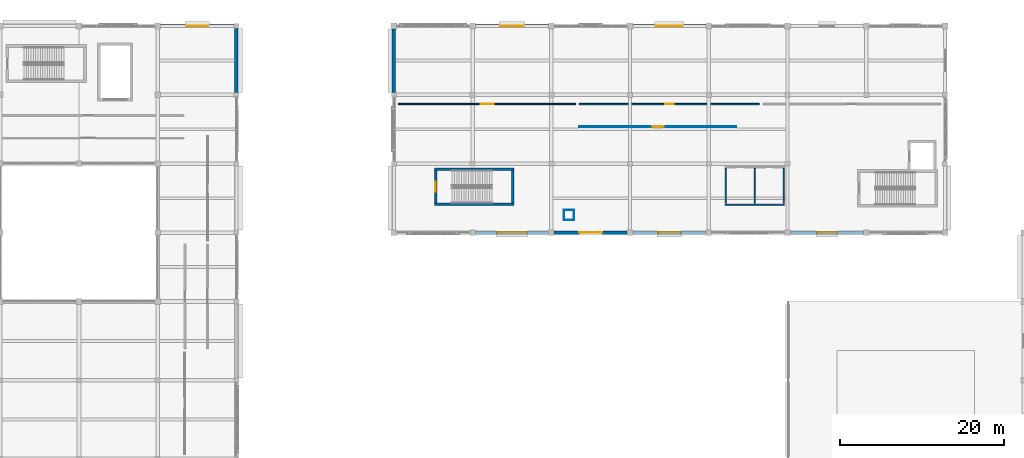
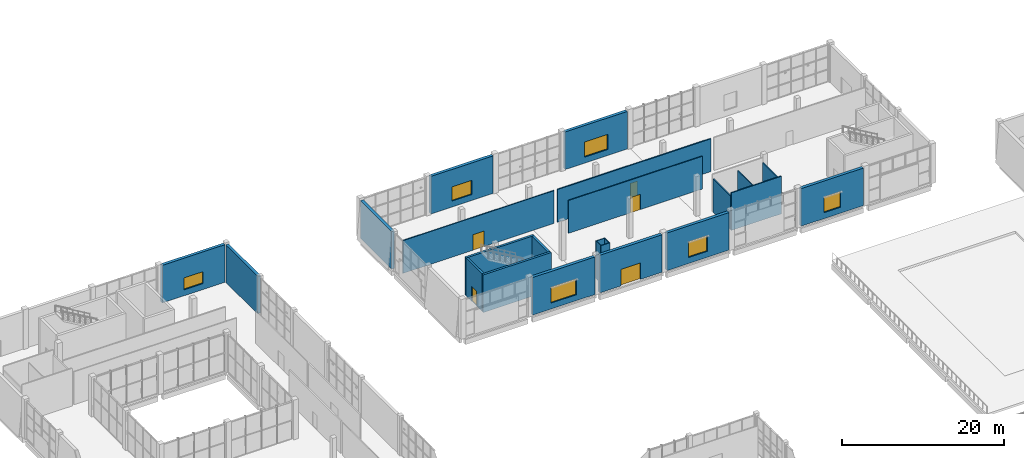
# One storey, part 57 of 84: 24 walls, 6 windows, 5 doors, 11 openings.
"""IFC4 building model written with IfcOpenShell, lengths in metres."""

from ifc_helpers import new_model, si_unit, direction, frame, frame_2d, origin, place, context, subcontext, project, spatial, rectangle, extrude, material, layer, layer_set, type_object, element, fill, save


model = new_model("IFC4")

# Units and contexts
model_context = context("Model", 3, precision=1e-05, world=origin(), true_north=direction((0.0, 1.0)))
body_context = subcontext(model_context, "Body", "Model", "MODEL_VIEW")
ifc_project = project(units=[si_unit("LENGTHUNIT", "METRE"), si_unit("AREAUNIT", "SQUARE_METRE"), si_unit("VOLUMEUNIT", "CUBIC_METRE"), si_unit("PLANEANGLEUNIT", "RADIAN"), si_unit("MASSUNIT", "GRAM", prefix="KILO")], contexts=[model_context])

# Site, building, storey
site_placement = place(None, origin())
site = spatial("IfcSite", under=ifc_project, at=site_placement, CompositionType="ELEMENT")
building_placement = place(site_placement, origin())
building = spatial("IfcBuilding", under=site, at=building_placement, Name="Shalvenor Court Art Gallery", CompositionType="ELEMENT")
storey_placement = place(building_placement, origin())
storey = spatial("IfcBuildingStorey", under=building, at=storey_placement, Name="L00", CompositionType="ELEMENT", Elevation=0.0)

# Walls
ifc_material_1 = material(Name="Concrete C40/50", Category="concrete")
ifc_layer_1 = layer(ifc_material_1, 0.31005859375, Name="Concrete C40/50")
ifc_layer_set_1 = layer_set([ifc_layer_1], Name="Concrete C40/50")
wall_type_1 = type_object("IfcWallType", Name="CW-W2", PredefinedType="SHEAR", material=ifc_layer_set_1)
wall_1_placement = place(storey_placement, frame((62.528076171875, 104.9169921875, 0.0), z_axis=(0.0, 0.0, 1.0), x_axis=(1.0, 0.0, 0.0)))
element("IfcWall", 1, at=wall_1_placement, inside=storey, type_object=wall_type_1, Name="L00 C9 Stair Core Shear Wall N", PredefinedType="SHEAR", context=body_context, shape_type="SweptSolid", body=[
    extrude(rectangle(XDim=9.743896484375, YDim=0.31005859375, at=frame_2d((4.8720703125, 0.0))), origin(), (0.0, 0.0, 1.0), 5.679931640625),
])
wall_2_placement = place(storey_placement, frame((72.116943359375, 104.761962890625, 0.0), z_axis=(0.0, 0.0, 1.0), x_axis=(0.0, -1.0, 0.0)))
element("IfcWall", 2, at=wall_2_placement, inside=storey, type_object=wall_type_1, Name="L00 C9 Stair Core Shear Wall E", PredefinedType="SHEAR", context=body_context, shape_type="SweptSolid", body=[
    extrude(rectangle(XDim=3.924072265625, YDim=0.31005859375, at=frame_2d((1.9619140625, 0.0))), origin(), (0.0, 0.0, 1.0), 5.679931640625),
])
wall_3_placement = place(storey_placement, frame((72.27197265625, 100.68310546875, 0.0), z_axis=(0.0, 0.0, 1.0), x_axis=(-1.0, 0.0, 0.0)))
element("IfcWall", 3, at=wall_3_placement, inside=storey, type_object=wall_type_1, Name="L00 C9 Stair Core Shear Wall S", PredefinedType="SHEAR", context=body_context, shape_type="SweptSolid", body=[
    extrude(rectangle(XDim=9.743896484375, YDim=0.31005859375, at=frame_2d((4.8720703125, 0.0))), origin(), (0.0, 0.0, 1.0), 5.679931640625),
])

# Wall, opening, door
wall_4_placement = place(storey_placement, frame((62.68310546875, 100.837890625, 0.0), z_axis=(0.0, 0.0, 1.0), x_axis=(0.0, 1.0, 0.0)))
wall_4 = element("IfcWall", 4, at=wall_4_placement, inside=storey, type_object=wall_type_1, Name="L00 C9 Stair Core Shear Wall W", PredefinedType="SHEAR", context=body_context, shape_type="SweptSolid", body=[
    extrude(rectangle(XDim=3.924072265625, YDim=0.31005859375, at=frame_2d((1.9619140625, 0.0))), origin(), (0.0, 0.0, 1.0), 5.679931640625),
])
opening_1_placement = place(wall_4_placement, frame((1.362060546875, 0.0, 0.0)))
opening_1 = element("IfcOpeningElement", 5, at=opening_1_placement, cuts=wall_4, Name="Opening FD-01", PredefinedType="OPENING", context=body_context, shape_type="SweptSolid", body=[
    extrude(rectangle(XDim=1.199951171875, YDim=2.199951171875, at=frame_2d((0.60009765625, 1.10009765625))), frame((0.0, 0.1650390625, 0.0), z_axis=(0.0, -1.0, 0.0), x_axis=(1.0, 0.0, 0.0)), (0.0, 0.0, 1.0), 0.330078125),
])
ifc_material_2 = material(Name="Fire-rated steel stair doorset", Category="steel")
door_type_1 = type_object("IfcDoorType", Name="FD-01", OperationType="NOTDEFINED", PredefinedType="DOOR", material=ifc_material_2)
door_1_placement = place(opening_1_placement, origin())
door_1 = element("IfcDoor", 6, at=door_1_placement, inside=storey, type_object=door_type_1, Name="DR-ST-L00-C9 L00 ST-09 Fire Stair Door", OperationType="SINGLE_SWING_LEFT", OverallHeight=2.199951171875, OverallWidth=1.199951171875, PredefinedType="DOOR", context=body_context, shape_type="SweptSolid", body=[
    extrude(rectangle(XDim=1.199951171875, YDim=2.199951171875, at=frame_2d((0.60009765625, 1.10009765625))), frame((0.0, 0.02490234375, 0.0), z_axis=(0.0, -1.0, 0.0), x_axis=(1.0, 0.0, 0.0)), (0.0, 0.0, 1.0), 0.050048828125),
])
fill(opening_1, door_1)

# Wall, opening, window
ifc_material_3 = material(Name="Concrete C40/50", Category="concrete")
ifc_layer_2 = layer(ifc_material_3, 0.419921875, Name="Concrete C40/50")
ifc_layer_set_2 = layer_set([ifc_layer_2], Name="Concrete C40/50")
wall_type_2 = type_object("IfcWallType", Name="EW-02", PredefinedType="SOLIDWALL", material=ifc_layer_set_2)
wall_5_placement = place(storey_placement, frame((67.550048828125, 122.39990234375, 0.0), z_axis=(0.0, 0.0, 1.0), x_axis=(1.0, 0.0, 0.0)))
wall_5 = element("IfcWall", 7, at=wall_5_placement, inside=storey, type_object=wall_type_2, Name="L00 V2 Exterior Wall WL-L00-0121", PredefinedType="SOLIDWALL", context=body_context, shape_type="SweptSolid", body=[
    extrude(rectangle(XDim=8.89990234375, YDim=0.419921875, at=frame_2d((4.449951171875, 0.0))), origin(), (0.0, 0.0, 1.0), 5.679931640625),
])
opening_2_placement = place(wall_5_placement, frame((3.02490234375, 0.0, 0.89990234375)))
opening_2 = element("IfcOpeningElement", 8, at=opening_2_placement, cuts=wall_5, Name="Opening WN-21", PredefinedType="OPENING", context=body_context, shape_type="SweptSolid", body=[
    extrude(rectangle(XDim=2.85009765625, YDim=2.14990234375, at=frame_2d((1.425048828125, 1.074951171875))), frame((0.0, 0.219970703125, 0.0), z_axis=(0.0, -1.0, 0.0), x_axis=(1.0, 0.0, 0.0)), (0.0, 0.0, 1.0), 0.43994140625),
])
ifc_material_4 = material(Name="Low-iron solar-control double IGU", Category="glass")
window_type_1 = type_object("IfcWindowType", Name="WN-21", PartitioningType="SINGLE_PANEL", PredefinedType="WINDOW", material=ifc_material_4)
window_1_placement = place(opening_2_placement, origin())
window_1 = element("IfcWindow", 9, at=window_1_placement, inside=storey, type_object=window_type_1, Name="L00 Window WIN-L00-0021", OverallHeight=2.14990234375, OverallWidth=2.85009765625, PartitioningType="SINGLE_PANEL", PredefinedType="WINDOW", context=body_context, shape_type="SweptSolid", body=[
    extrude(rectangle(XDim=2.85009765625, YDim=2.14990234375, at=frame_2d((1.425048828125, 1.074951171875))), frame((0.0, 0.030029296875, 0.0), z_axis=(0.0, -1.0, 0.0), x_axis=(1.0, 0.0, 0.0)), (0.0, 0.0, 1.0), 0.06005859375),
])
fill(opening_2, window_1)

wall_6_placement = place(storey_placement, frame((86.75, 122.39990234375, 0.0), z_axis=(0.0, 0.0, 1.0), x_axis=(1.0, 0.0, 0.0)))
wall_6 = element("IfcWall", 10, at=wall_6_placement, inside=storey, type_object=wall_type_2, Name="L00 V2 Exterior Wall WL-L00-0122", PredefinedType="SOLIDWALL", context=body_context, shape_type="SweptSolid", body=[
    extrude(rectangle(XDim=8.89990234375, YDim=0.419921875, at=frame_2d((4.449951171875, 0.0))), origin(), (0.0, 0.0, 1.0), 5.679931640625),
])
opening_3_placement = place(wall_6_placement, frame((2.800048828125, 0.0, 0.89990234375)))
opening_3 = element("IfcOpeningElement", 11, at=opening_3_placement, cuts=wall_6, Name="Opening WN-22", PredefinedType="OPENING", context=body_context, shape_type="SweptSolid", body=[
    extrude(rectangle(XDim=3.300048828125, YDim=2.300048828125, at=frame_2d((1.64990234375, 1.14990234375))), frame((0.0, 0.219970703125, 0.0), z_axis=(0.0, -1.0, 0.0), x_axis=(1.0, 0.0, 0.0)), (0.0, 0.0, 1.0), 0.43994140625),
])
ifc_material_5 = material(Name="Low-iron solar-control double IGU", Category="glass")
window_type_2 = type_object("IfcWindowType", Name="WN-22", PartitioningType="SINGLE_PANEL", PredefinedType="WINDOW", material=ifc_material_5)
window_2_placement = place(opening_3_placement, origin())
window_2 = element("IfcWindow", 12, at=window_2_placement, inside=storey, type_object=window_type_2, Name="L00 Window WIN-L00-0022", OverallHeight=2.300048828125, OverallWidth=3.300048828125, PartitioningType="SINGLE_PANEL", PredefinedType="WINDOW", context=body_context, shape_type="SweptSolid", body=[
    extrude(rectangle(XDim=3.300048828125, YDim=2.300048828125, at=frame_2d((1.64990234375, 1.14990234375))), frame((0.0, 0.030029296875, 0.0), z_axis=(0.0, -1.0, 0.0), x_axis=(1.0, 0.0, 0.0)), (0.0, 0.0, 1.0), 0.06005859375),
])
fill(opening_3, window_2)

wall_7_placement = place(storey_placement, frame((114.85009765625, 97.199951171875, 0.0), z_axis=(0.0, 0.0, 1.0), x_axis=(-1.0, 0.0, 0.0)))
wall_7 = element("IfcWall", 13, at=wall_7_placement, inside=storey, type_object=wall_type_2, Name="L00 V2 Exterior Wall WL-L00-0126", PredefinedType="SOLIDWALL", context=body_context, shape_type="SweptSolid", body=[
    extrude(rectangle(XDim=8.900146484375, YDim=0.419921875, at=frame_2d((4.4501953125, 0.0))), origin(), (0.0, 0.0, 1.0), 5.679931640625),
])
opening_4_placement = place(wall_7_placement, frame((3.25, 0.0, 0.89990234375)))
opening_4 = element("IfcOpeningElement", 14, at=opening_4_placement, cuts=wall_7, Name="Opening WN-02", PredefinedType="OPENING", context=body_context, shape_type="SweptSolid", body=[
    extrude(rectangle(XDim=2.39990234375, YDim=2.39990234375, at=frame_2d((1.199951171875, 1.199951171875))), frame((0.0, 0.219970703125, 0.0), z_axis=(0.0, -1.0, 0.0), x_axis=(1.0, 0.0, 0.0)), (0.0, 0.0, 1.0), 0.43994140625),
])
ifc_material_6 = material(Name="Low-iron solar-control double IGU", Category="glass")
window_type_3 = type_object("IfcWindowType", Name="WN-02", PartitioningType="SINGLE_PANEL", PredefinedType="WINDOW", material=ifc_material_6)
window_3_placement = place(opening_4_placement, origin())
window_3 = element("IfcWindow", 15, at=window_3_placement, inside=storey, type_object=window_type_3, Name="L00 Window WIN-L00-0024", OverallHeight=2.39990234375, OverallWidth=2.39990234375, PartitioningType="SINGLE_PANEL", PredefinedType="WINDOW", context=body_context, shape_type="SweptSolid", body=[
    extrude(rectangle(XDim=2.39990234375, YDim=2.39990234375, at=frame_2d((1.199951171875, 1.199951171875))), frame((0.0, 0.030029296875, 0.0), z_axis=(0.0, -1.0, 0.0), x_axis=(1.0, 0.0, 0.0)), (0.0, 0.0, 1.0), 0.06005859375),
])
fill(opening_4, window_3)

wall_8_placement = place(storey_placement, frame((95.64990234375, 97.199951171875, 0.0), z_axis=(0.0, 0.0, 1.0), x_axis=(-1.0, 0.0, 0.0)))
wall_8 = element("IfcWall", 16, at=wall_8_placement, inside=storey, type_object=wall_type_2, Name="L00 V2 Exterior Wall WL-L00-0127", PredefinedType="SOLIDWALL", context=body_context, shape_type="SweptSolid", body=[
    extrude(rectangle(XDim=8.89990234375, YDim=0.419921875, at=frame_2d((4.449951171875, 0.0))), origin(), (0.0, 0.0, 1.0), 5.679931640625),
])
opening_5_placement = place(wall_8_placement, frame((3.10009765625, 0.0, 0.89990234375)))
opening_5 = element("IfcOpeningElement", 17, at=opening_5_placement, cuts=wall_8, Name="Opening WN-03", PredefinedType="OPENING", context=body_context, shape_type="SweptSolid", body=[
    extrude(rectangle(XDim=2.699951171875, YDim=2.39990234375, at=frame_2d((1.35009765625, 1.199951171875))), frame((0.0, 0.219970703125, 0.0), z_axis=(0.0, -1.0, 0.0), x_axis=(1.0, 0.0, 0.0)), (0.0, 0.0, 1.0), 0.43994140625),
])
ifc_material_7 = material(Name="Low-iron solar-control double IGU", Category="glass")
window_type_4 = type_object("IfcWindowType", Name="WN-03", PartitioningType="SINGLE_PANEL", PredefinedType="WINDOW", material=ifc_material_7)
window_4_placement = place(opening_5_placement, origin())
window_4 = element("IfcWindow", 18, at=window_4_placement, inside=storey, type_object=window_type_4, Name="L00 Window WIN-L00-0025", OverallHeight=2.39990234375, OverallWidth=2.699951171875, PartitioningType="SINGLE_PANEL", PredefinedType="WINDOW", context=body_context, shape_type="SweptSolid", body=[
    extrude(rectangle(XDim=2.699951171875, YDim=2.39990234375, at=frame_2d((1.35009765625, 1.199951171875))), frame((0.0, 0.030029296875, 0.0), z_axis=(0.0, -1.0, 0.0), x_axis=(1.0, 0.0, 0.0)), (0.0, 0.0, 1.0), 0.06005859375),
])
fill(opening_5, window_4)

# Wall, opening, door
wall_9_placement = place(storey_placement, frame((86.050048828125, 97.199951171875, 0.0), z_axis=(0.0, 0.0, 1.0), x_axis=(-1.0, 0.0, 0.0)))
wall_9 = element("IfcWall", 19, at=wall_9_placement, inside=storey, type_object=wall_type_2, Name="L00 V2 Exterior Wall WL-L00-0128", PredefinedType="SOLIDWALL", context=body_context, shape_type="SweptSolid", body=[
    extrude(rectangle(XDim=8.900146484375, YDim=0.419921875, at=frame_2d((4.4501953125, 0.0))), origin(), (0.0, 0.0, 1.0), 5.679931640625),
])
opening_6_placement = place(wall_9_placement, frame((3.050048828125, 0.0, 0.0)))
opening_6 = element("IfcOpeningElement", 20, at=opening_6_placement, cuts=wall_9, Name="Opening ED-01", PredefinedType="OPENING", context=body_context, shape_type="SweptSolid", body=[
    extrude(rectangle(XDim=2.800048828125, YDim=2.5, at=frame_2d((1.39990234375, 1.25))), frame((0.0, 0.219970703125, 0.0), z_axis=(0.0, -1.0, 0.0), x_axis=(1.0, 0.0, 0.0)), (0.0, 0.0, 1.0), 0.43994140625),
])
ifc_material_8 = material(Name="Anodised bronze glazed exit doorset", Category="aluminium")
door_type_2 = type_object("IfcDoorType", Name="ED-01", OperationType="NOTDEFINED", PredefinedType="DOOR", material=ifc_material_8)
door_2_placement = place(opening_6_placement, origin())
door_2 = element("IfcDoor", 21, at=door_2_placement, inside=storey, type_object=door_type_2, Name="DR-EX-16 L00 Pedestrian Final Exit Door", OperationType="DOUBLE_DOOR_SINGLE_SWING", OverallHeight=2.5, OverallWidth=2.800048828125, PredefinedType="DOOR", context=body_context, shape_type="SweptSolid", body=[
    extrude(rectangle(XDim=2.800048828125, YDim=2.5, at=frame_2d((1.39990234375, 1.25))), frame((0.0, 0.02490234375, 0.0), z_axis=(0.0, -1.0, 0.0), x_axis=(1.0, 0.0, 0.0)), (0.0, 0.0, 1.0), 0.050048828125),
])
fill(opening_6, door_2)

# Wall, opening, window
wall_10_placement = place(storey_placement, frame((76.449951171875, 97.199951171875, 0.0), z_axis=(0.0, 0.0, 1.0), x_axis=(-1.0, 0.0, 0.0)))
wall_10 = element("IfcWall", 22, at=wall_10_placement, inside=storey, type_object=wall_type_2, Name="L00 V2 Exterior Wall WL-L00-0129", PredefinedType="SOLIDWALL", context=body_context, shape_type="SweptSolid", body=[
    extrude(rectangle(XDim=8.89990234375, YDim=0.419921875, at=frame_2d((4.449951171875, 0.0))), origin(), (0.0, 0.0, 1.0), 5.679931640625),
])
opening_7_placement = place(wall_10_placement, frame((2.64990234375, 0.0, 0.89990234375)))
opening_7 = element("IfcOpeningElement", 23, at=opening_7_placement, cuts=wall_10, Name="Opening WN-04", PredefinedType="OPENING", context=body_context, shape_type="SweptSolid", body=[
    extrude(rectangle(XDim=3.60009765625, YDim=2.39990234375, at=frame_2d((1.800048828125, 1.199951171875))), frame((0.0, 0.219970703125, 0.0), z_axis=(0.0, -1.0, 0.0), x_axis=(1.0, 0.0, 0.0)), (0.0, 0.0, 1.0), 0.43994140625),
])
ifc_material_9 = material(Name="Low-iron solar-control double IGU", Category="glass")
window_type_5 = type_object("IfcWindowType", Name="WN-04", PartitioningType="SINGLE_PANEL", PredefinedType="WINDOW", material=ifc_material_9)
window_5_placement = place(opening_7_placement, origin())
window_5 = element("IfcWindow", 24, at=window_5_placement, inside=storey, type_object=window_type_5, Name="L00 Window WIN-L00-0026", OverallHeight=2.39990234375, OverallWidth=3.60009765625, PartitioningType="SINGLE_PANEL", PredefinedType="WINDOW", context=body_context, shape_type="SweptSolid", body=[
    extrude(rectangle(XDim=3.60009765625, YDim=2.39990234375, at=frame_2d((1.800048828125, 1.199951171875))), frame((0.0, 0.030029296875, 0.0), z_axis=(0.0, -1.0, 0.0), x_axis=(1.0, 0.0, 0.0)), (0.0, 0.0, 1.0), 0.06005859375),
])
fill(opening_7, window_5)

# Wall
wall_11_placement = place(storey_placement, frame((57.60009765625, 114.300048828125, 0.0), z_axis=(0.0, 0.0, 1.0), x_axis=(0.0, 1.0, 0.0)))
element("IfcWall", 25, at=wall_11_placement, inside=storey, type_object=wall_type_2, Name="L00 V2 Exterior Wall WL-L00-0131", PredefinedType="SOLIDWALL", context=body_context, shape_type="SweptSolid", body=[
    extrude(rectangle(XDim=7.75, YDim=0.419921875, at=frame_2d((3.875, 0.0))), origin(), (0.0, 0.0, 1.0), 5.679931640625),
])

# Wall, opening, window
wall_12_placement = place(storey_placement, frame((29.14990234375, 122.39990234375, 0.0), z_axis=(0.0, 0.0, 1.0), x_axis=(1.0, 0.0, 0.0)))
wall_12 = element("IfcWall", 26, at=wall_12_placement, inside=storey, type_object=wall_type_2, Name="L00 V5 Exterior Wall WL-L00-0284", PredefinedType="SOLIDWALL", context=body_context, shape_type="SweptSolid", body=[
    extrude(rectangle(XDim=8.9501953125, YDim=0.419921875, at=frame_2d((4.47509765625, 0.0))), origin(), (0.0, 0.0, 1.0), 5.679931640625),
])
opening_8_placement = place(wall_12_placement, frame((3.125, 0.0, 0.89990234375)))
opening_8 = element("IfcOpeningElement", 27, at=opening_8_placement, cuts=wall_12, Name="Opening WN-12", PredefinedType="OPENING", context=body_context, shape_type="SweptSolid", body=[
    extrude(rectangle(XDim=2.699951171875, YDim=1.800048828125, at=frame_2d((1.35009765625, 0.89990234375))), frame((0.0, 0.219970703125, 0.0), z_axis=(0.0, -1.0, 0.0), x_axis=(1.0, 0.0, 0.0)), (0.0, 0.0, 1.0), 0.43994140625),
])
ifc_material_10 = material(Name="Acoustic laminated studio IGU", Category="glass")
window_type_6 = type_object("IfcWindowType", Name="WN-12", PartitioningType="SINGLE_PANEL", PredefinedType="WINDOW", material=ifc_material_10)
window_6_placement = place(opening_8_placement, origin())
window_6 = element("IfcWindow", 28, at=window_6_placement, inside=storey, type_object=window_type_6, Name="L00 Window WIN-L00-0056", OverallHeight=1.800048828125, OverallWidth=2.699951171875, PartitioningType="SINGLE_PANEL", PredefinedType="WINDOW", context=body_context, shape_type="SweptSolid", body=[
    extrude(rectangle(XDim=2.699951171875, YDim=1.800048828125, at=frame_2d((1.35009765625, 0.89990234375))), frame((0.0, 0.030029296875, 0.0), z_axis=(0.0, -1.0, 0.0), x_axis=(1.0, 0.0, 0.0)), (0.0, 0.0, 1.0), 0.06005859375),
])
fill(opening_8, window_6)

# Wall
wall_13_placement = place(storey_placement, frame((38.39990234375, 122.10009765625, 0.0), z_axis=(0.0, 0.0, 1.0), x_axis=(0.0, -1.0, 0.0)))
element("IfcWall", 29, at=wall_13_placement, inside=storey, type_object=wall_type_2, Name="L00 V5 Exterior Wall WL-L00-0285", PredefinedType="SOLIDWALL", context=body_context, shape_type="SweptSolid", body=[
    extrude(rectangle(XDim=7.800048828125, YDim=0.419921875, at=frame_2d((3.89990234375, 0.0))), origin(), (0.0, 0.0, 1.0), 5.679931640625),
])

# Wall, opening, door
ifc_material_11 = material(Name="Plywood-backed acoustic art-hanging partition", Category="wood")
ifc_layer_3 = layer(ifc_material_11, 0.179931640625, Name="Plywood-backed acoustic art-hanging partition")
ifc_layer_set_3 = layer_set([ifc_layer_3], Name="Plywood-backed acoustic art-hanging partition")
wall_type_3 = type_object("IfcWallType", Name="PT-01", PredefinedType="PARTITIONING", material=ifc_layer_set_3)
wall_14_placement = place(storey_placement, frame((102.169921875, 112.8798828125, 0.0), z_axis=(0.0, 0.0, 1.0), x_axis=(-1.0, 0.0, 0.0)))
wall_14 = element("IfcWall", 30, at=wall_14_placement, inside=storey, type_object=wall_type_3, Name="L00 Modern Israeli Art Gallery Wing B Partition 601", PredefinedType="PARTITIONING", context=body_context, shape_type="SweptSolid", body=[
    extrude(rectangle(XDim=21.93994140625, YDim=0.179931640625, at=frame_2d((10.969970703125, 0.0))), origin(), (0.0, 0.0, 1.0), 4.955078125),
])
opening_9_placement = place(wall_14_placement, frame((10.445068359375, 0.0, 0.0)))
opening_9 = element("IfcOpeningElement", 31, at=opening_9_placement, cuts=wall_14, Name="Opening ID-04", PredefinedType="OPENING", context=body_context, shape_type="SweptSolid", body=[
    extrude(rectangle(XDim=1.050048828125, YDim=2.199951171875, at=frame_2d((0.52490234375, 1.10009765625))), frame((0.0, 0.099853515625, 0.0), z_axis=(0.0, -1.0, 0.0), x_axis=(1.0, 0.0, 0.0)), (0.0, 0.0, 1.0), 0.199951171875),
])
ifc_material_12 = material(Name="Oak-veneered accessible room doorset", Category="wood")
door_type_3 = type_object("IfcDoorType", Name="ID-04", OperationType="NOTDEFINED", PredefinedType="DOOR", material=ifc_material_12)
door_3_placement = place(opening_9_placement, origin())
door_3 = element("IfcDoor", 32, at=door_3_placement, inside=storey, type_object=door_type_3, Name="DR-RM-L00-0132 L00 Modern Israeli Art Gallery Wing B Door", OperationType="SINGLE_SWING_LEFT", OverallHeight=2.199951171875, OverallWidth=1.050048828125, PredefinedType="DOOR", context=body_context, shape_type="SweptSolid", body=[
    extrude(rectangle(XDim=1.050048828125, YDim=2.199951171875, at=frame_2d((0.52490234375, 1.10009765625))), frame((0.0, 0.02490234375, 0.0), z_axis=(0.0, -1.0, 0.0), x_axis=(1.0, 0.0, 0.0)), (0.0, 0.0, 1.0), 0.050048828125),
])
fill(opening_9, door_3)

# Walls
ifc_material_13 = material(Name="Moisture-resistant sanitary partition", Category="other")
ifc_layer_4 = layer(ifc_material_13, 0.14990234375, Name="Moisture-resistant sanitary partition")
ifc_layer_set_4 = layer_set([ifc_layer_4], Name="Moisture-resistant sanitary partition")
wall_type_4 = type_object("IfcWallType", Name="PT-03", PredefinedType="PARTITIONING", material=ifc_layer_set_4)
wall_15_placement = place(storey_placement, frame((98.0, 100.60009765625, 0.0), z_axis=(0.0, 0.0, 1.0), x_axis=(1.0, 0.0, 0.0)))
element("IfcWall", 33, at=wall_15_placement, inside=storey, type_object=wall_type_4, Name="L00 C5 Restroom Back Partition", PredefinedType="PARTITIONING", context=body_context, shape_type="SweptSolid", body=[
    extrude(rectangle(XDim=7.199951171875, YDim=0.14990234375, at=frame_2d((3.60009765625, 0.0))), origin(), (0.0, 0.0, 1.0), 5.679931640625),
])
for number, where, z_axis, x_axis, name in (
    (34, (98.074951171875, 100.760009765625, 0.0), (0.0, 0.0, 1.0), (0.0, 1.0, 0.0), "L00 C5 Restroom Partition L"),
    (35, (101.60009765625, 100.760009765625, 0.0), (0.0, 0.0, 1.0), (0.0, 1.0, 0.0), "L00 C5 Restroom Partition M"),
    (36, (105.125, 100.760009765625, 0.0), (0.0, 0.0, 1.0), (0.0, 1.0, 0.0), "L00 C5 Restroom Partition R"),
):
    element("IfcWall", number, at=place(storey_placement, frame(where, z_axis=z_axis, x_axis=x_axis)), inside=storey, type_object=wall_type_4, Name=name, PredefinedType="PARTITIONING", context=body_context, shape_type="SweptSolid", body=[
        extrude(rectangle(XDim=4.280029296875, YDim=0.14990234375, at=frame_2d((2.14013671875, 0.0))), origin(), (0.0, 0.0, 1.0), 5.054931640625),
    ])

# Wall, opening, door
ifc_material_14 = material(Name="Insulated studio acoustic partition", Category="other")
ifc_layer_5 = layer(ifc_material_14, 0.135009765625, Name="Insulated studio acoustic partition")
ifc_layer_set_5 = layer_set([ifc_layer_5], Name="Insulated studio acoustic partition")
wall_type_5 = type_object("IfcWallType", Name="PT-04", PredefinedType="PARTITIONING", material=ifc_layer_set_5)
wall_16_placement = place(storey_placement, frame((79.77001953125, 112.8798828125, 0.0), z_axis=(0.0, 0.0, 1.0), x_axis=(-1.0, 0.0, 0.0)))
wall_16 = element("IfcWall", 37, at=wall_16_placement, inside=storey, type_object=wall_type_5, Name="L00 Permanent Painting Gallery Partition 599", PredefinedType="PARTITIONING", context=body_context, shape_type="SweptSolid", body=[
    extrude(rectangle(XDim=21.6201171875, YDim=0.135009765625, at=frame_2d((10.81005859375, 0.0))), origin(), (0.0, 0.0, 1.0), 4.955078125),
])
opening_10_placement = place(wall_16_placement, frame((10.010009765625, 0.0, 0.0)))
opening_10 = element("IfcOpeningElement", 38, at=opening_10_placement, cuts=wall_16, Name="Opening ID-02", PredefinedType="OPENING", context=body_context, shape_type="SweptSolid", body=[
    extrude(rectangle(XDim=1.60009765625, YDim=2.35009765625, at=frame_2d((0.800048828125, 1.175048828125))), frame((0.0, 0.077392578125, 0.0), z_axis=(0.0, -1.0, 0.0), x_axis=(1.0, 0.0, 0.0)), (0.0, 0.0, 1.0), 0.155029296875),
])
ifc_material_15 = material(Name="Oak-veneered gallery double doorset", Category="wood")
door_type_4 = type_object("IfcDoorType", Name="ID-02", OperationType="NOTDEFINED", PredefinedType="DOOR", material=ifc_material_15)
door_4_placement = place(opening_10_placement, origin())
door_4 = element("IfcDoor", 39, at=door_4_placement, inside=storey, type_object=door_type_4, Name="DR-RM-L00-0130 L00 Permanent Painting Gallery Door", OperationType="DOUBLE_DOOR_SINGLE_SWING", OverallHeight=2.35009765625, OverallWidth=1.60009765625, PredefinedType="DOOR", context=body_context, shape_type="SweptSolid", body=[
    extrude(rectangle(XDim=1.60009765625, YDim=2.35009765625, at=frame_2d((0.800048828125, 1.175048828125))), frame((0.0, 0.02490234375, 0.0), z_axis=(0.0, -1.0, 0.0), x_axis=(1.0, 0.0, 0.0)), (0.0, 0.0, 1.0), 0.050048828125),
])
fill(opening_10, door_4)

ifc_material_16 = material(Name="Lightweight office gypsum partition", Category="other")
ifc_layer_6 = layer(ifc_material_16, 0.1201171875, Name="Lightweight office gypsum partition")
ifc_layer_set_6 = layer_set([ifc_layer_6], Name="Lightweight office gypsum partition")
wall_type_6 = type_object("IfcWallType", Name="PT-05", PredefinedType="PARTITIONING", material=ifc_layer_set_6)
wall_17_placement = place(storey_placement, frame((80.22998046875, 110.1201171875, 0.0), z_axis=(0.0, 0.0, 1.0), x_axis=(1.0, 0.0, 0.0)))
wall_17 = element("IfcWall", 40, at=wall_17_placement, inside=storey, type_object=wall_type_6, Name="L00 Modern Israeli Art Gallery Partition 600", PredefinedType="PARTITIONING", context=body_context, shape_type="SweptSolid", body=[
    extrude(rectangle(XDim=19.14013671875, YDim=0.1201171875, at=frame_2d((9.570068359375, 0.0))), origin(), (0.0, 0.0, 1.0), 4.955078125),
])
opening_11_placement = place(wall_17_placement, frame((8.8701171875, 0.0, 0.0)))
opening_11 = element("IfcOpeningElement", 41, at=opening_11_placement, cuts=wall_17, Name="Opening ID-03", PredefinedType="OPENING", context=body_context, shape_type="SweptSolid", body=[
    extrude(rectangle(XDim=1.39990234375, YDim=2.300048828125, at=frame_2d((0.699951171875, 1.14990234375))), frame((0.0, 0.070068359375, 0.0), z_axis=(0.0, -1.0, 0.0), x_axis=(1.0, 0.0, 0.0)), (0.0, 0.0, 1.0), 0.14013671875),
])
ifc_material_17 = material(Name="Timber studio double leaf doorset", Category="wood")
door_type_5 = type_object("IfcDoorType", Name="ID-03", OperationType="NOTDEFINED", PredefinedType="DOOR", material=ifc_material_17)
door_5_placement = place(opening_11_placement, origin())
door_5 = element("IfcDoor", 42, at=door_5_placement, inside=storey, type_object=door_type_5, Name="DR-RM-L00-0131 L00 Modern Israeli Art Gallery Door", OperationType="DOUBLE_DOOR_SINGLE_SWING", OverallHeight=2.300048828125, OverallWidth=1.39990234375, PredefinedType="DOOR", context=body_context, shape_type="SweptSolid", body=[
    extrude(rectangle(XDim=1.39990234375, YDim=2.300048828125, at=frame_2d((0.699951171875, 1.14990234375))), frame((0.0, 0.02490234375, 0.0), z_axis=(0.0, -1.0, 0.0), x_axis=(1.0, 0.0, 0.0)), (0.0, 0.0, 1.0), 0.050048828125),
])
fill(opening_11, door_5)

# Walls
ifc_material_18 = material(Name="Service riser shaft gypsum partition", Category="other")
ifc_layer_7 = layer(ifc_material_18, 0.10009765625, Name="Service riser shaft gypsum partition")
ifc_layer_set_7 = layer_set([ifc_layer_7], Name="Service riser shaft gypsum partition")
wall_type_7 = type_object("IfcWallType", Name="PT-06", PredefinedType="PARTITIONING", material=ifc_layer_set_7)
for number, where, z_axis, x_axis, name in (
    (43, (78.300048828125, 99.949951171875, 0.0), (0.0, 0.0, 1.0), (1.0, 0.0, 0.0), "L00 Riser Shaft Wall 1.N"),
    (44, (79.60009765625, 98.75, 0.0), (0.0, 0.0, 1.0), (-1.0, 0.0, 0.0), "L00 Riser Shaft Wall 1.S"),
):
    element("IfcWall", number, at=place(storey_placement, frame(where, z_axis=z_axis, x_axis=x_axis)), inside=storey, type_object=wall_type_7, Name=name, PredefinedType="PARTITIONING", context=body_context, shape_type="SweptSolid", body=[
        extrude(rectangle(XDim=1.300048828125, YDim=0.10009765625, at=frame_2d((0.64990234375, 0.0))), origin(), (0.0, 0.0, 1.0), 5.679931640625),
    ])
for number, where, z_axis, x_axis, name in (
    (45, (78.35009765625, 98.800048828125, 0.0), (0.0, 0.0, 1.0), (0.0, 1.0, 0.0), "L00 Riser Shaft Wall 1.W"),
    (46, (79.550048828125, 99.89990234375, 0.0), (0.0, 0.0, 1.0), (0.0, -1.0, 0.0), "L00 Riser Shaft Wall 1.E"),
):
    element("IfcWall", number, at=place(storey_placement, frame(where, z_axis=z_axis, x_axis=x_axis)), inside=storey, type_object=wall_type_7, Name=name, PredefinedType="PARTITIONING", context=body_context, shape_type="SweptSolid", body=[
        extrude(rectangle(XDim=1.099853515625, YDim=0.10009765625, at=frame_2d((0.5498046875, 0.0))), origin(), (0.0, 0.0, 1.0), 5.679931640625),
    ])

save(model, "model.ifc")
